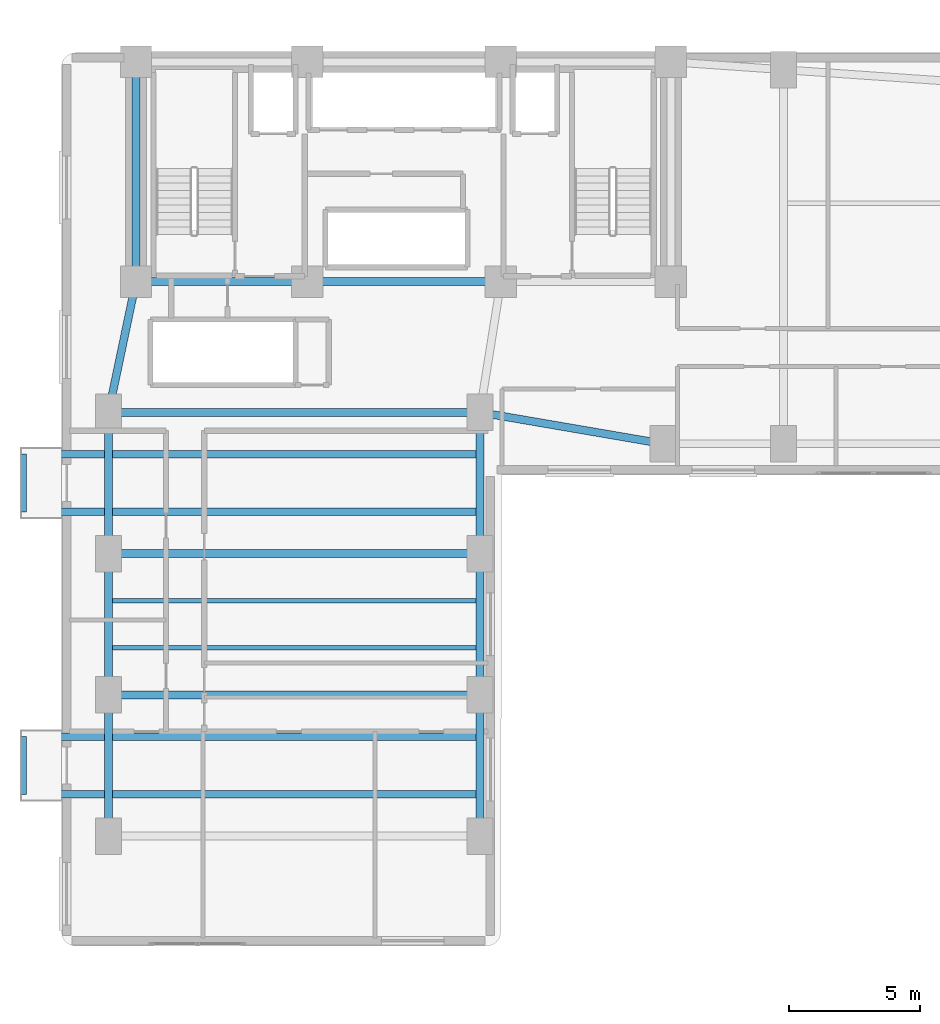
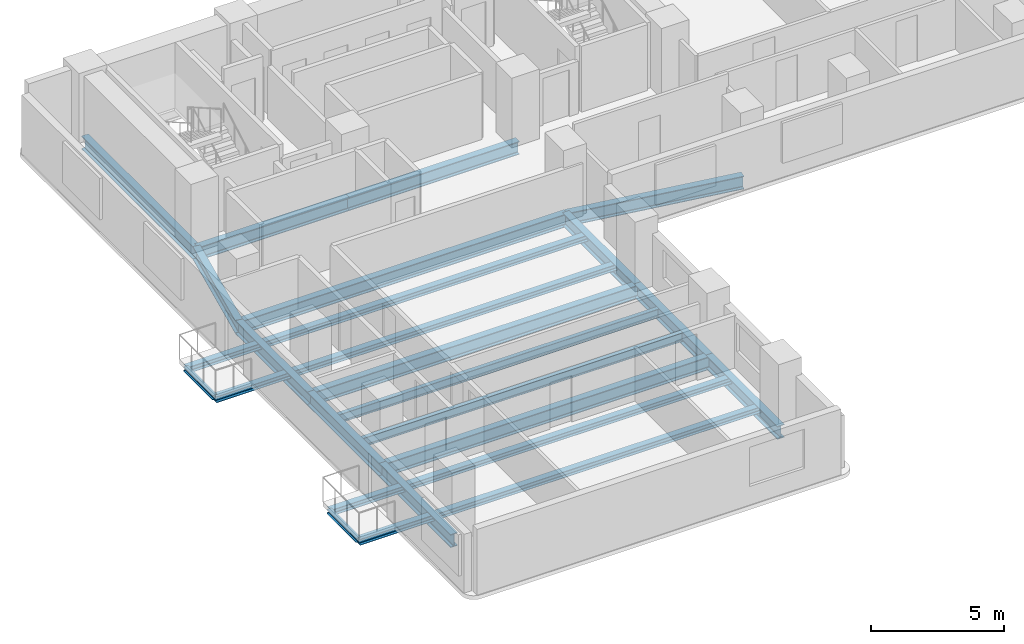
# One storey, part 3 of 15: 22 beams.
"""IFC4 building model written with IfcOpenShell, lengths in metres."""

from ifc_helpers import new_model, si_unit, direction, frame, origin, origin_2d, place, context, subcontext, project, spatial, i_section, extrude, material, material_profile, profile_set, type_object, element, save


model = new_model("IFC4")

# Units and contexts
model_context = context("Model", 3, precision=1e-05, world=origin(), true_north=direction((0.0, 1.0)))
body_context = subcontext(model_context, "Body", "Model", "MODEL_VIEW")
ifc_project = project(units=[si_unit("LENGTHUNIT", "METRE"), si_unit("AREAUNIT", "SQUARE_METRE"), si_unit("VOLUMEUNIT", "CUBIC_METRE"), si_unit("PLANEANGLEUNIT", "RADIAN"), si_unit("MASSUNIT", "GRAM", prefix="KILO")], contexts=[model_context])

# Site, building, storey
site_placement = place(None, origin())
site = spatial("IfcSite", under=ifc_project, at=site_placement, CompositionType="ELEMENT")
building_placement = place(site_placement, origin())
building = spatial("IfcBuilding", under=site, at=building_placement, Name="Kuzgunbayir Cultural Tower", CompositionType="ELEMENT")
storey_placement = place(building_placement, frame((0.0, 0.0, 59.60009765625)))
storey = spatial("IfcBuildingStorey", under=building, at=storey_placement, Name="L16", CompositionType="ELEMENT", Elevation=59.60009765625)

# Beams
ifc_material = material(Name="Steel S355J2", Category="steel")
ifc_material_profile_1 = material_profile(ifc_material, i_section(OverallWidth=0.280029296875, OverallDepth=0.280029296875, WebThickness=0.010498046875, FlangeThickness=0.01806640625, FilletRadius=0.02392578125, at=origin_2d()), Name="HEB 280")
ifc_profile_set_1 = profile_set([ifc_material_profile_1], Name="Steel S355J2")
beam_type_1 = type_object("IfcBeamType", Name="BM-BAL-HEB280", PredefinedType="BEAM", material=ifc_profile_set_1)
for number, where, z_axis, x_axis, name in (
    (1, (2.159912109375, 14.199951171875, -0.340087890625), (1.0, 0.0, 0.0), (0.0, 1.0, 0.0), "L16 Balcony Outrigger Beam BAL-L16-WA1.1"),
    (2, (2.159912109375, 16.39990234375, -0.340087890625), (1.0, 0.0, 0.0), (0.0, 1.0, 0.0), "L16 Balcony Outrigger Beam BAL-L16-WA1.2"),
    (3, (2.159912109375, 25.0, -0.340087890625), (1.0, 0.0, 0.0), (0.0, 1.0, 0.0), "L16 Balcony Outrigger Beam BAL-L16-WA3.1"),
    (4, (2.159912109375, 27.199951171875, -0.340087890625), (1.0, 0.0, 0.0), (0.0, 1.0, 0.0), "L16 Balcony Outrigger Beam BAL-L16-WA3.2"),
):
    element("IfcBeam", number, at=place(storey_placement, frame(where, z_axis=z_axis, x_axis=x_axis)), inside=storey, type_object=beam_type_1, Name=name, PredefinedType="BEAM", context=body_context, shape_type="SweptSolid", body=[
        extrude(i_section(OverallWidth=0.280029296875, OverallDepth=0.280029296875, WebThickness=0.010498046875, FlangeThickness=0.01806640625, FilletRadius=0.02392578125, at=origin_2d()), origin(), (0.0, 0.0, 1.0), 17.440185546875),
    ])
ifc_material_profile_2 = material_profile(ifc_material, i_section(OverallWidth=0.199951171875, OverallDepth=0.199951171875, WebThickness=0.009033203125, FlangeThickness=0.014892578125, FilletRadius=0.01806640625, at=origin_2d()), Name="HEB 200")
ifc_profile_set_2 = profile_set([ifc_material_profile_2], Name="Steel S355J2")
beam_type_2 = type_object("IfcBeamType", Name="BM-CAN-HEB200", PredefinedType="BEAM", material=ifc_profile_set_2)
for number, where, z_axis, x_axis, name in (
    (5, (2.159912109375, 14.199951171875, -0.300048828125), (0.0, 1.0, 0.0), (-1.0, 0.0, 0.0), "L16 Balcony Edge Header BAL-L16-WA1"),
    (6, (2.159912109375, 25.0, -0.300048828125), (0.0, 1.0, 0.0), (-1.0, 0.0, 0.0), "L16 Balcony Edge Header BAL-L16-WA3"),
):
    element("IfcBeam", number, at=place(storey_placement, frame(where, z_axis=z_axis, x_axis=x_axis)), inside=storey, type_object=beam_type_2, Name=name, PredefinedType="BEAM", context=body_context, shape_type="SweptSolid", body=[
        extrude(i_section(OverallWidth=0.199951171875, OverallDepth=0.199951171875, WebThickness=0.009033203125, FlangeThickness=0.014892578125, FilletRadius=0.01806640625, at=origin_2d()), origin(), (0.0, 0.0, 1.0), 2.199951171875),
    ])
ifc_material_profile_3 = material_profile(ifc_material, i_section(OverallWidth=0.300048828125, OverallDepth=0.60009765625, WebThickness=0.015380859375, FlangeThickness=0.030029296875, FilletRadius=0.027099609375, at=origin_2d()), Name="HEB 600")
ifc_profile_set_3 = profile_set([ifc_material_profile_3], Name="Steel S355J2")
beam_type_3 = type_object("IfcBeamType", Name="BM-EXT-HEB600", PredefinedType="BEAM", material=ifc_profile_set_3)
for number, where, z_axis, x_axis, name in (
    (7, (5.39990234375, 12.60009765625, -0.47998046875), (0.0, 1.0, 0.0), (-1.0, 0.0, 0.0), "L16 Wing A West Girder 1"),
    (8, (19.60009765625, 12.60009765625, -0.47998046875), (0.0, 1.0, 0.0), (-1.0, 0.0, 0.0), "L16 Wing A East Girder 1"),
    (9, (5.39990234375, 18.0, -0.47998046875), (0.0, 1.0, 0.0), (-1.0, 0.0, 0.0), "L16 Wing A West Girder 2"),
    (10, (19.60009765625, 18.0, -0.47998046875), (0.0, 1.0, 0.0), (-1.0, 0.0, 0.0), "L16 Wing A East Girder 2"),
):
    element("IfcBeam", number, at=place(storey_placement, frame(where, z_axis=z_axis, x_axis=x_axis)), inside=storey, type_object=beam_type_3, Name=name, PredefinedType="BEAM", context=body_context, shape_type="SweptSolid", body=[
        extrude(i_section(OverallWidth=0.300048828125, OverallDepth=0.60009765625, WebThickness=0.015380859375, FlangeThickness=0.030029296875, FilletRadius=0.027099609375, at=origin_2d()), origin(), (0.0, 0.0, 1.0), 5.39990234375),
    ])
for number, where, z_axis, x_axis, name in (
    (11, (5.39990234375, 23.39990234375, -0.47998046875), (0.0, 1.0, 0.0), (-1.0, 0.0, 0.0), "L16 Wing A West Girder 3"),
    (12, (19.60009765625, 23.39990234375, -0.47998046875), (0.0, 1.0, 0.0), (-1.0, 0.0, 0.0), "L16 Wing A East Girder 3"),
):
    element("IfcBeam", number, at=place(storey_placement, frame(where, z_axis=z_axis, x_axis=x_axis)), inside=storey, type_object=beam_type_3, Name=name, PredefinedType="BEAM", context=body_context, shape_type="SweptSolid", body=[
        extrude(i_section(OverallWidth=0.300048828125, OverallDepth=0.60009765625, WebThickness=0.015380859375, FlangeThickness=0.030029296875, FilletRadius=0.027099609375, at=origin_2d()), origin(), (0.0, 0.0, 1.0), 5.400146484375),
    ])
ifc_material_profile_4 = material_profile(ifc_material, i_section(OverallWidth=0.300048828125, OverallDepth=0.60009765625, WebThickness=0.015380859375, FlangeThickness=0.030029296875, FilletRadius=0.027099609375, at=origin_2d()), Name="HEB 600")
ifc_profile_set_4 = profile_set([ifc_material_profile_4], Name="Steel S355J2")
beam_type_4 = type_object("IfcBeamType", Name="BM-GIR-HEB600", PredefinedType="BEAM", material=ifc_profile_set_4)
beam_1_placement = place(storey_placement, frame((6.449951171875, 33.800048828125, -0.47998046875), z_axis=(1.0, 0.0, 0.0), x_axis=(0.0, 1.0, 0.0)))
element("IfcBeam", 13, at=beam_1_placement, inside=storey, type_object=beam_type_4, Name="L16 Core South Girder 1", PredefinedType="BEAM", context=body_context, shape_type="SweptSolid", body=[
    extrude(i_section(OverallWidth=0.300048828125, OverallDepth=0.60009765625, WebThickness=0.015380859375, FlangeThickness=0.030029296875, FilletRadius=0.027099609375, at=origin_2d()), origin(), (0.0, 0.0, 1.0), 6.550048828125),
])
beam_2_placement = place(storey_placement, frame((13.0, 33.800048828125, -0.47998046875), z_axis=(1.0, 0.0, 0.0), x_axis=(0.0, 1.0, 0.0)))
element("IfcBeam", 14, at=beam_2_placement, inside=storey, type_object=beam_type_4, Name="L16 Core South Girder 2", PredefinedType="BEAM", context=body_context, shape_type="SweptSolid", body=[
    extrude(i_section(OverallWidth=0.300048828125, OverallDepth=0.60009765625, WebThickness=0.015380859375, FlangeThickness=0.030029296875, FilletRadius=0.027099609375, at=origin_2d()), origin(), (0.0, 0.0, 1.0), 7.39990234375),
])
beam_3_placement = place(storey_placement, frame((6.449951171875, 33.800048828125, -0.47998046875), z_axis=(0.0, 1.0, 0.0), x_axis=(-1.0, 0.0, 0.0)))
element("IfcBeam", 15, at=beam_3_placement, inside=storey, type_object=beam_type_4, Name="L16 Core West Edge Girder", PredefinedType="BEAM", context=body_context, shape_type="SweptSolid", body=[
    extrude(i_section(OverallWidth=0.300048828125, OverallDepth=0.60009765625, WebThickness=0.015380859375, FlangeThickness=0.030029296875, FilletRadius=0.027099609375, at=origin_2d()), origin(), (0.0, 0.0, 1.0), 8.39990234375),
])
for number, where, z_axis, x_axis, name in (
    (16, (5.39990234375, 18.0, -0.47998046875), (1.0, 0.0, 0.0), (0.0, 1.0, 0.0), "L16 Wing A Transverse Girder 2"),
    (17, (5.39990234375, 23.39990234375, -0.47998046875), (1.0, 0.0, 0.0), (0.0, 1.0, 0.0), "L16 Wing A Transverse Girder 3"),
    (18, (5.39990234375, 28.800048828125, -0.47998046875), (1.0, 0.0, 0.0), (0.0, 1.0, 0.0), "L16 Wing A Transverse Girder 4"),
):
    element("IfcBeam", number, at=place(storey_placement, frame(where, z_axis=z_axis, x_axis=x_axis)), inside=storey, type_object=beam_type_4, Name=name, PredefinedType="BEAM", context=body_context, shape_type="SweptSolid", body=[
        extrude(i_section(OverallWidth=0.300048828125, OverallDepth=0.60009765625, WebThickness=0.015380859375, FlangeThickness=0.030029296875, FilletRadius=0.027099609375, at=origin_2d()), origin(), (0.0, 0.0, 1.0), 14.2001953125),
    ])
beam_4_placement = place(storey_placement, frame((5.39990234375, 28.800048828125, -0.47998046875), z_axis=(0.205526387753, 0.978651574329, 0.0), x_axis=(-0.978651574329, 0.205526387753, 0.0)))
element("IfcBeam", 19, at=beam_4_placement, inside=storey, type_object=beam_type_4, Name="L16 Wing A West Core Floor Girder", PredefinedType="BEAM", context=body_context, shape_type="SweptSolid", body=[
    extrude(i_section(OverallWidth=0.300048828125, OverallDepth=0.60009765625, WebThickness=0.015380859375, FlangeThickness=0.030029296875, FilletRadius=0.027099609375, at=origin_2d()), origin(), (0.0, 0.0, 1.0), 5.109130859375),
])
beam_5_placement = place(storey_placement, frame((19.60009765625, 28.800048828125, -0.47998046875), z_axis=(0.985623399742, -0.168957136221, 0.0), x_axis=(0.168957136221, 0.985623399742, 0.0)))
element("IfcBeam", 20, at=beam_5_placement, inside=storey, type_object=beam_type_4, Name="L16 Wing B Waist Tie Girder", PredefinedType="BEAM", context=body_context, shape_type="SweptSolid", body=[
    extrude(i_section(OverallWidth=0.300048828125, OverallDepth=0.60009765625, WebThickness=0.015380859375, FlangeThickness=0.030029296875, FilletRadius=0.027099609375, at=origin_2d()), origin(), (0.0, 0.0, 1.0), 7.10205078125),
])
ifc_material_profile_5 = material_profile(ifc_material, i_section(OverallWidth=0.179931640625, OverallDepth=0.39990234375, WebThickness=0.008544921875, FlangeThickness=0.013427734375, FilletRadius=0.02099609375, at=origin_2d()), Name="IPE 400")
ifc_profile_set_5 = profile_set([ifc_material_profile_5], Name="Steel S355J2")
beam_type_5 = type_object("IfcBeamType", Name="BM-JST-IPE400", PredefinedType="JOIST", material=ifc_profile_set_5)
for number, where, z_axis, x_axis, name in (
    (21, (5.550048828125, 19.800048828125, -0.380126953125), (1.0, 0.0, 0.0), (0.0, 1.0, 0.0), "L16 Wing A Secondary Joist 3"),
    (22, (5.550048828125, 21.60009765625, -0.380126953125), (1.0, 0.0, 0.0), (0.0, 1.0, 0.0), "L16 Wing A Secondary Joist 4"),
):
    element("IfcBeam", number, at=place(storey_placement, frame(where, z_axis=z_axis, x_axis=x_axis)), inside=storey, type_object=beam_type_5, Name=name, PredefinedType="JOIST", context=body_context, shape_type="SweptSolid", body=[
        extrude(i_section(OverallWidth=0.179931640625, OverallDepth=0.39990234375, WebThickness=0.008544921875, FlangeThickness=0.013427734375, FilletRadius=0.02099609375, at=origin_2d()), origin(), (0.0, 0.0, 1.0), 13.89990234375),
    ])

save(model, "model.ifc")
